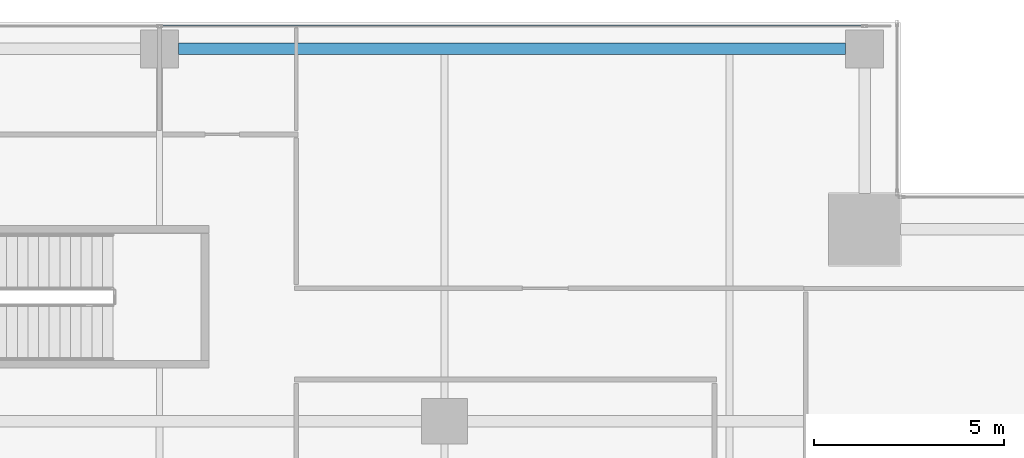
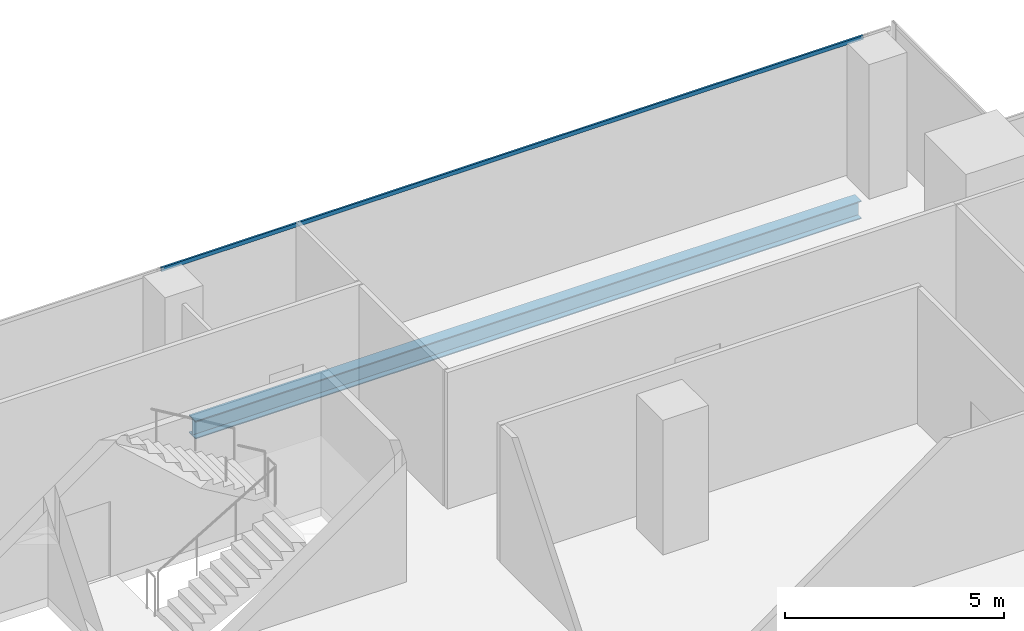
# One storey, part 26 of 40: 1 beam, 1 member, 1 element without a shape of its own.
"""IFC4 building model written with IfcOpenShell, lengths in metres."""

import ifcopenshell
import ifcopenshell.guid

model = None  # the IFC model being written
_history = None  # IfcOwnerHistory: only IFC2X3 demands one
_inside = {}  # id of a spatial element -> (the spatial element, [elements in it])
_under = {}  # id of a project, library or spatial element -> (it, [spatial elements below it])
_declared = {}  # id of a project -> (the project, [libraries it declares])
_typed = {}  # id of a type object -> (the type object, [elements of that type])
_made_of = {}  # id of a material, layer set ... -> (it, [elements and type objects made of it])


def new_model(schema):
    """Start an empty IFC model of exactly this schema.

    Asked for "IFC4X3", IfcOpenShell would pick the latest addendum, in which some entities
    have other attributes; the version numbers below select the first issue.
    IFC2X3 requires an IfcOwnerHistory on every rooted entity: one is made here for all.
    """
    global model, _history
    if schema == "IFC4X3":
        model = ifcopenshell.file(schema_version=(4, 3, 0, 0))
    else:
        model = ifcopenshell.file(schema=schema)
    _inside.clear()
    _under.clear()
    _declared.clear()
    _typed.clear()
    _made_of.clear()
    _history = None
    if model.schema == "IFC2X3":
        org = make("IfcOrganization", Name="unknown")
        user = make(
            "IfcPersonAndOrganization",
            ThePerson=make("IfcPerson", FamilyName="unknown"),
            TheOrganization=org,
        )
        app = make(
            "IfcApplication",
            ApplicationDeveloper=org,
            Version="unknown",
            ApplicationFullName="unknown",
            ApplicationIdentifier="unknown",
        )
        _history = make(
            "IfcOwnerHistory",
            OwningUser=user,
            OwningApplication=app,
            ChangeAction="ADDED",
            CreationDate=0,
        )
    return model


def make(cls, **values):
    """One entity of the class cls with the attributes given. An attribute that is None is left unset."""
    return model.create_entity(
        cls, **{name: value for name, value in values.items() if value is not None}
    )


def rooted(cls, **values):
    """An entity with a GlobalId (a new one), such as an element, a storey or a relation."""
    return make(cls, GlobalId=ifcopenshell.guid.new(), OwnerHistory=_history, **values)


def si_unit(unit_type, name, prefix=None):
    """IfcSIUnit, for example si_unit("LENGTHUNIT", "METRE", prefix="MILLI")."""
    return make("IfcSIUnit", UnitType=unit_type, Prefix=prefix, Name=name)


def assignment(units):
    """IfcUnitAssignment: the units of a project."""
    return None if units is None else make("IfcUnitAssignment", Units=units)


def point(xyz):
    """IfcCartesianPoint."""
    return None if xyz is None else make("IfcCartesianPoint", Coordinates=xyz)


def direction(xyz):
    """IfcDirection."""
    return None if xyz is None else make("IfcDirection", DirectionRatios=xyz)


def frame(location, z_axis=None, x_axis=None):
    """IfcAxis2Placement3D, a coordinate frame: its origin and axes. An axis left out is left unset."""
    return make(
        "IfcAxis2Placement3D",
        Location=point(location),
        Axis=direction(z_axis),
        RefDirection=direction(x_axis),
    )


def frame_2d(location, x_axis=None):
    """IfcAxis2Placement2D, a coordinate frame in the plane: its origin and x axis."""
    return make(
        "IfcAxis2Placement2D", Location=point(location), RefDirection=direction(x_axis)
    )


def origin():
    """The frame at (0, 0, 0) with its axes left unset."""
    return frame((0.0, 0.0, 0.0))


def origin_2d():
    """The frame at (0, 0) in the plane with its x axis left unset."""
    return frame_2d((0.0, 0.0))


def place(relative_to, where):
    """IfcLocalPlacement: puts the frame where relative to a parent placement (None: the world)."""
    return make(
        "IfcLocalPlacement", PlacementRelTo=relative_to, RelativePlacement=where
    )


def context(
    kind, dimensions, precision=None, world=None, true_north=None, identifier=None
):
    """IfcGeometricRepresentationContext, for example the 3D "Model" context."""
    return make(
        "IfcGeometricRepresentationContext",
        ContextIdentifier=identifier,
        ContextType=kind,
        CoordinateSpaceDimension=dimensions,
        Precision=precision,
        WorldCoordinateSystem=world,
        TrueNorth=true_north,
    )


def subcontext(parent, identifier, kind, view, scale=None):
    """IfcGeometricRepresentationSubContext, for example "Body" below "Model"."""
    return make(
        "IfcGeometricRepresentationSubContext",
        ContextIdentifier=identifier,
        ContextType=kind,
        ParentContext=parent,
        TargetScale=scale,
        TargetView=view,
    )


def project(units=None, contexts=None):
    """IfcProject with its units and contexts."""
    return rooted(
        "IfcProject",
        Name="project",
        RepresentationContexts=contexts,
        UnitsInContext=assignment(units),
    )


def spatial(cls, under=None, at=None, **own):
    """A site, building, storey or space (cls), placed at a placement, below another one or the project."""
    s = rooted(cls, ObjectPlacement=at, **own)
    if under is not None:
        _under.setdefault(under.id(), (under, []))[1].append(s)
    return s


def profile(cls, at=None, kind="AREA", **sizes):
    """A parametric profile (cls). Its sizes go by their IFC names, for example OverallWidth=200.0."""
    return make(cls, ProfileType=kind, Position=at, **sizes)


def hollow_rectangle(**sizes):
    """IfcRectangleHollowProfileDef."""
    return profile("IfcRectangleHollowProfileDef", **sizes)


def i_section(**sizes):
    """IfcIShapeProfileDef."""
    return profile("IfcIShapeProfileDef", **sizes)


def extrude(swept, where, along, depth):
    """IfcExtrudedAreaSolid: the profile swept, set in the frame where, extruded along a direction by depth."""
    return make(
        "IfcExtrudedAreaSolid",
        SweptArea=swept,
        Position=where,
        ExtrudedDirection=direction(along),
        Depth=depth,
    )


def shape(context_of_items, identifier, shape_type, items):
    """IfcShapeRepresentation: the items that make up one representation, for example the "Body"."""
    return make(
        "IfcShapeRepresentation",
        ContextOfItems=context_of_items,
        RepresentationIdentifier=identifier,
        RepresentationType=shape_type,
        Items=items,
    )


def source(mapping_origin, context_of_items, identifier, shape_type, items):
    """IfcRepresentationMap: a shape defined once, which mapped items show again and again."""
    return make(
        "IfcRepresentationMap",
        MappingOrigin=mapping_origin,
        MappedRepresentation=shape(context_of_items, identifier, shape_type, items),
    )


def transform(
    local_origin,
    x_axis=None,
    y_axis=None,
    z_axis=None,
    scale=None,
    scale2=None,
    scale3=None,
    uniform=True,
):
    """IfcCartesianTransformationOperator3D, or its non-uniform kind. x_axis, y_axis, z_axis: its Axis1, 2, 3."""
    if uniform:
        return make(
            "IfcCartesianTransformationOperator3D",
            Axis1=direction(x_axis),
            Axis2=direction(y_axis),
            LocalOrigin=point(local_origin),
            Scale=scale,
            Axis3=direction(z_axis),
        )
    return make(
        "IfcCartesianTransformationOperator3DnonUniform",
        Axis1=direction(x_axis),
        Axis2=direction(y_axis),
        LocalOrigin=point(local_origin),
        Scale=scale,
        Axis3=direction(z_axis),
        Scale2=scale2,
        Scale3=scale3,
    )


def mapped(mapping_source, mapping_target):
    """IfcMappedItem: shows the shape of a source again, moved by a transform."""
    return make(
        "IfcMappedItem", MappingSource=mapping_source, MappingTarget=mapping_target
    )


def material(Name=None, Category=None):
    """IfcMaterial."""
    return make("IfcMaterial", Name=Name, Category=Category)


def material_profile(
    of_material, cross_section, Name=None, Category=None, Priority=None
):
    """IfcMaterialProfile: a cross section and its material."""
    return make(
        "IfcMaterialProfile",
        Name=Name,
        Material=of_material,
        Profile=cross_section,
        Priority=Priority,
        Category=Category,
    )


def profile_set(profiles, Name=None, composite=None):
    """IfcMaterialProfileSet."""
    return make(
        "IfcMaterialProfileSet",
        Name=Name,
        MaterialProfiles=profiles,
        CompositeProfile=composite,
    )


def made_of(thing, what):
    """Note that an element or type object is made of a material, layer set ...; save() writes the relation."""
    if what is not None:
        _made_of.setdefault(what.id(), (what, []))[1].append(thing)
    return thing


def type_object(cls, material=None, **own):
    """A type object (cls), such as IfcWallType, which elements share."""
    return made_of(rooted(cls, **own), material)


def element(
    cls,
    number,
    at=None,
    inside=None,
    cuts=None,
    type_object=None,
    material=None,
    context=None,
    identifier="Body",
    shape_type=None,
    held_by="IfcProductDefinitionShape",
    body=None,
    shapes=None,
    **own,
):
    """One element of the class cls, such as IfcWall. Its Tag is "e" and its number.

    at: its placement. inside: the storey or other place that contains it. cuts: it is an
    opening in that element (IfcRelVoidsElement). A single representation is given by context,
    identifier, shape_type and body (its items); several are given by shapes. held_by: the class
    of the entity that holds the representations. save() writes the other relations.
    """
    e = rooted(cls, Tag="e%d" % number, ObjectPlacement=at, **own)
    if body is not None:
        shapes = [shape(context, identifier, shape_type, body)]
    if shapes is not None:
        e.Representation = make(held_by, Representations=shapes)
    if inside is not None:
        _inside.setdefault(inside.id(), (inside, []))[1].append(e)
    if cuts is not None:
        rooted(
            "IfcRelVoidsElement", RelatingBuildingElement=cuts, RelatedOpeningElement=e
        )
    if type_object is not None:
        _typed.setdefault(type_object.id(), (type_object, []))[1].append(e)
    return made_of(e, material)


def aggregate(whole, parts):
    """IfcRelAggregates: a whole, such as a stair, and the parts it consists of."""
    return rooted("IfcRelAggregates", RelatingObject=whole, RelatedObjects=parts)


def save(model, path):
    """Write the relations noted so far, then the file.

    IfcRelAggregates (storeys below a building ...), IfcRelContainedInSpatialStructure (elements
    in a storey), IfcRelDefinesByType, IfcRelAssociatesMaterial and IfcRelDeclares: one each for
    every whole, place, type object, material and project.
    """
    for whole, parts in _under.values():
        aggregate(whole, parts)
    for where, things in _inside.values():
        rooted(
            "IfcRelContainedInSpatialStructure",
            RelatedElements=things,
            RelatingStructure=where,
        )
    for kind, things in _typed.values():
        rooted("IfcRelDefinesByType", RelatedObjects=things, RelatingType=kind)
    for what, things in _made_of.values():
        rooted("IfcRelAssociatesMaterial", RelatedObjects=things, RelatingMaterial=what)
    for by, libraries in _declared.values():
        rooted("IfcRelDeclares", RelatingContext=by, RelatedDefinitions=libraries)
    model.write(path)


model = new_model("IFC4")

# Units and contexts
model_context = context("Model", 3, precision=1e-05, world=origin(), true_north=direction((0.0, 1.0)))
body_context = subcontext(model_context, "Body", "Model", "MODEL_VIEW")
ifc_project = project(units=[si_unit("LENGTHUNIT", "METRE"), si_unit("AREAUNIT", "SQUARE_METRE"), si_unit("VOLUMEUNIT", "CUBIC_METRE"), si_unit("PLANEANGLEUNIT", "RADIAN"), si_unit("MASSUNIT", "GRAM", prefix="KILO")], contexts=[model_context])

# Site, building, storey
site_placement = place(None, origin())
site = spatial("IfcSite", under=ifc_project, at=site_placement, CompositionType="ELEMENT")
building_placement = place(site_placement, origin())
building = spatial("IfcBuilding", under=site, at=building_placement, Name="Khomas Fold Tower", CompositionType="ELEMENT")
storey_placement = place(building_placement, frame((0.0, 0.0, 204.699951171875)))
storey = spatial("IfcBuildingStorey", under=building, at=storey_placement, Name="L45", CompositionType="ELEMENT", Elevation=204.699951171875)

# Beam
ifc_material_1 = material(Name="Steel S355", Category="steel")
ifc_material_profile_1 = material_profile(ifc_material_1, i_section(OverallWidth=0.300048828125, OverallDepth=0.5, WebThickness=0.014404296875, FlangeThickness=0.028076171875, at=origin_2d()), Name="HE 500 B")
ifc_profile_set_1 = profile_set([ifc_material_profile_1], Name="Steel S355")
beam_type = type_object("IfcBeamType", Name="HE 500 B spandrel SB3", PredefinedType="SPANDREL", material=ifc_profile_set_1)
shared_shape_1 = source(origin(), body_context, "Body", "SweptSolid", [
    extrude(i_section(OverallWidth=0.300048828125, OverallDepth=0.5, WebThickness=0.014404296875, FlangeThickness=0.028076171875, at=origin_2d()), origin(), (0.0, 0.0, 1.0), 17.550048828125),
])
beam_placement = place(storey_placement, frame((27.5, 50.300048828125, -0.5), z_axis=(1.0, 0.0, 0.0), x_axis=(0.0, 1.0, 0.0)))
element("IfcBeam", 1, at=beam_placement, inside=storey, type_object=beam_type, Name="SB3", PredefinedType="SPANDREL", context=body_context, shape_type="MappedRepresentation", body=[
    mapped(shared_shape_1, transform((0.0, 0.0, 0.0))),
])

# Curtain wall, member
ifc_material_2 = material(Name="Aluminium framed double glazing", Category="aluminium")
curtain_wall_type = type_object("IfcCurtainWallType", Name="SK-Unitised clear-glass wall, office floors CW2", PredefinedType="NOTDEFINED", material=ifc_material_2)
curtain_wall_placement = place(storey_placement, origin())
curtain_wall = element("IfcCurtainWall", 2, at=curtain_wall_placement, inside=storey, type_object=curtain_wall_type, Name="CW2 run L45 06-0", PredefinedType="NOTDEFINED")
ifc_material_3 = material(Name="Aluminium", Category="aluminium")
ifc_material_profile_2 = material_profile(ifc_material_3, hollow_rectangle(XDim=0.050048828125, YDim=0.110107421875, WallThickness=0.00390625, at=origin_2d()), Name="SK-Unitised clear-glass wall, office floors transom CW2-T")
ifc_profile_set_2 = profile_set([ifc_material_profile_2], Name="Aluminium")
member_type = type_object("IfcMemberType", Name="SK-Unitised clear-glass wall, office floors transom CW2-T", PredefinedType="USERDEFINED", material=ifc_profile_set_2)
shared_shape_2 = source(origin(), body_context, "Body", "SweptSolid", [
    extrude(hollow_rectangle(XDim=0.050048828125, YDim=0.110107421875, WallThickness=0.00390625, at=origin_2d()), origin(), (0.0, 0.0, 1.0), 18.489990234375),
])
member_placement = place(storey_placement, frame((45.52001953125, 50.89990234375, 3.695068359375), z_axis=(-1.0, 0.0, 0.0), x_axis=(0.0, -1.0, 0.0)))
member = element("IfcMember", 3, at=member_placement, type_object=member_type, Name="CW2 transom 2", ObjectType="TRANSOM", PredefinedType="USERDEFINED", context=body_context, shape_type="MappedRepresentation", body=[
    mapped(shared_shape_2, transform((0.0, 0.0, 0.0))),
])
aggregate(curtain_wall, [member])

save(model, "model.ifc")
